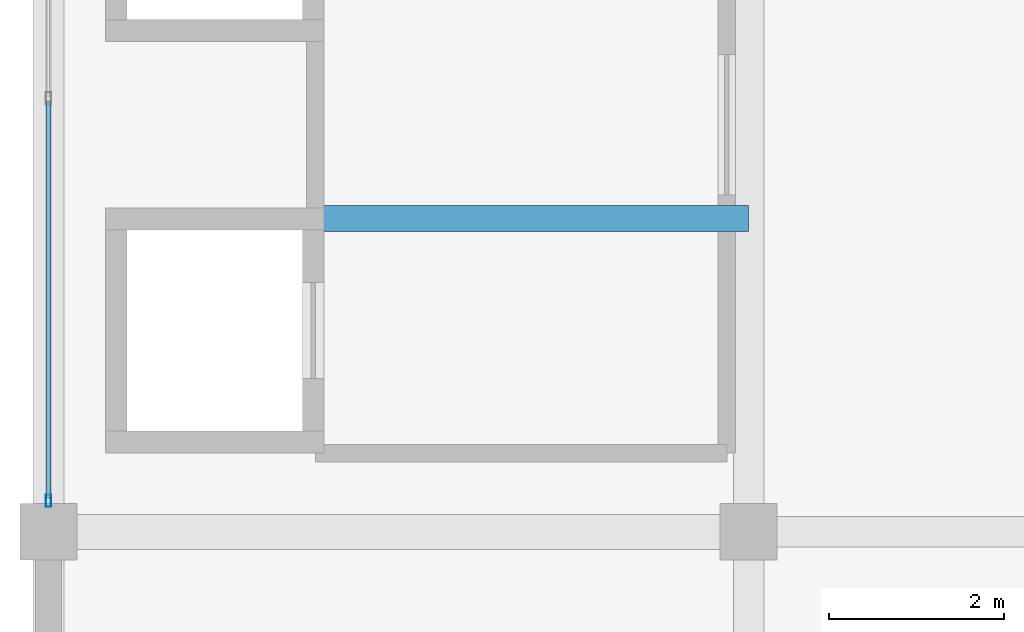
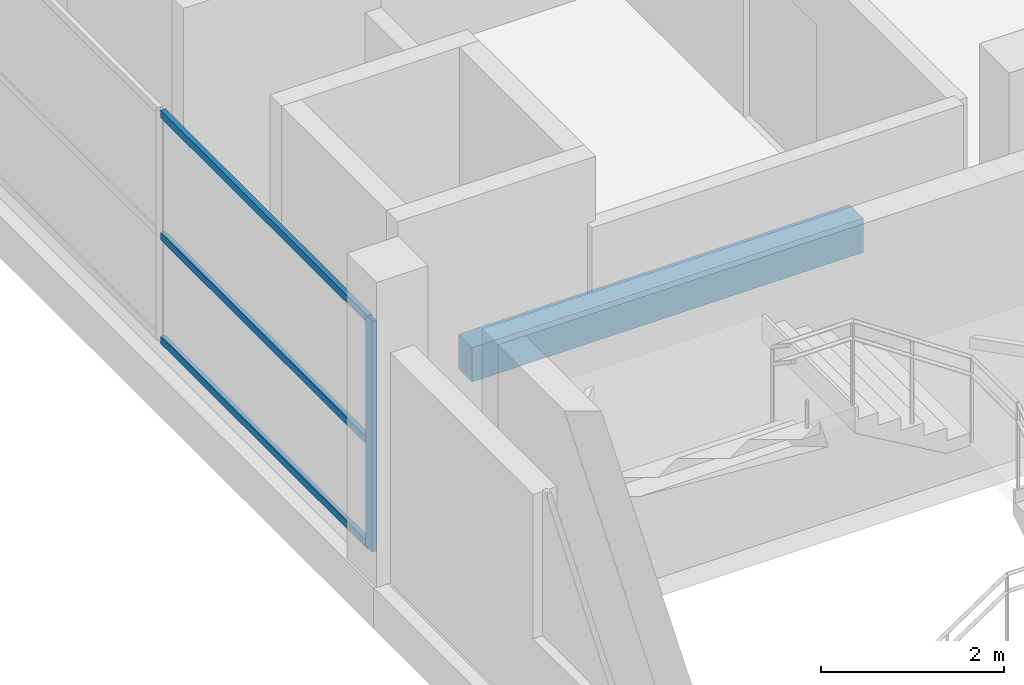
# One storey, part 6 of 53: 4 members, 1 beam, 1 element without a shape of its own.
"""IFC4 building model written with IfcOpenShell, lengths in metres."""

from ifc_helpers import new_model, si_unit, direction, frame, origin, origin_2d, place, context, subcontext, project, spatial, rectangle, hollow_rectangle, extrude, material, layer, layer_set, material_profile, profile_set, type_object, element, aggregate, save


model = new_model("IFC4")

# Units and contexts
model_context = context("Model", 3, precision=1e-05, world=origin(), true_north=direction((0.0, 1.0)))
body_context = subcontext(model_context, "Body", "Model", "MODEL_VIEW")
ifc_project = project(units=[si_unit("LENGTHUNIT", "METRE"), si_unit("AREAUNIT", "SQUARE_METRE"), si_unit("VOLUMEUNIT", "CUBIC_METRE"), si_unit("PLANEANGLEUNIT", "RADIAN"), si_unit("MASSUNIT", "GRAM", prefix="KILO")], contexts=[model_context])

# Site, building, storey
site_placement = place(None, origin())
site = spatial("IfcSite", under=ifc_project, at=site_placement, CompositionType="ELEMENT")
building_placement = place(site_placement, origin())
building = spatial("IfcBuilding", under=site, at=building_placement, Name="Sillaruma Civic Art Gallery", CompositionType="ELEMENT")
storey_placement = place(building_placement, frame((0.0, 0.0, 70.3798828125)))
storey = spatial("IfcBuildingStorey", under=building, at=storey_placement, Name="L14", CompositionType="ELEMENT", Elevation=70.3798828125)

# Beam
ifc_material_1 = material(Name="Concrete H35 (35 MPa)", Category="concrete")
ifc_material_profile_1 = material_profile(ifc_material_1, rectangle(XDim=0.300048828125, YDim=0.4599609375, at=origin_2d()), Name="RCB300x460")
ifc_profile_set_1 = profile_set([ifc_material_profile_1], Name="Concrete H35 (35 MPa)")
beam_type = type_object("IfcBeamType", Name="BM-LINTEL-RCB300x460", PredefinedType="LINTEL", material=ifc_profile_set_1)
beam_placement = place(storey_placement, frame((65.050048828125, 43.179931640625, -0.47998046875), z_axis=(1.0, 0.0, 0.0), x_axis=(0.0, 1.0, 0.0)))
element("IfcBeam", 1, at=beam_placement, inside=storey, type_object=beam_type, Name="Core Portal Coupling Lintel BL-01 (L13:PL1)", PredefinedType="LINTEL", context=body_context, shape_type="SweptSolid", body=[
    extrude(rectangle(XDim=0.300048828125, YDim=0.4599609375, at=origin_2d()), origin(), (0.0, 0.0, 1.0), 4.949951171875),
])

# Curtain wall, members
ifc_material_2 = material(Name="Thermally Broken Extruded Aluminium 6063-T6", Category="aluminium")
ifc_layer = layer(ifc_material_2, 0.139892578125, Name="Thermally Broken Extruded Aluminium 6063-T6")
ifc_layer_set = layer_set([ifc_layer], Name="Thermally Broken Extruded Aluminium 6063-T6")
curtain_wall_type = type_object("IfcCurtainWallType", Name="CW-UNI-93", PredefinedType="NOTDEFINED", material=ifc_layer_set)
curtain_wall_placement = place(storey_placement, origin())
curtain_wall = element("IfcCurtainWall", 2, at=curtain_wall_placement, inside=storey, type_object=curtain_wall_type, Name="Unitised Curtain Wall CW-93 (CW-L14-WBW-3)", PredefinedType="NOTDEFINED")
ifc_material_profile_2 = material_profile(ifc_material_2, hollow_rectangle(XDim=0.06005859375, YDim=0.139892578125, WallThickness=0.00341796875, at=origin_2d()), Name="CWM60x140")
ifc_profile_set_2 = profile_set([ifc_material_profile_2], Name="Thermally Broken Extruded Aluminium 6063-T6")
member_type_1 = type_object("IfcMemberType", Name="MEM-MUL-CWM60x140", PredefinedType="MULLION", material=ifc_profile_set_2)
member_1_placement = place(storey_placement, frame((62.0, 39.955078125, 0.0), z_axis=(0.0, 0.0, 1.0), x_axis=(-1.0, 0.0, 0.0)))
member_1 = element("IfcMember", 3, at=member_1_placement, type_object=member_type_1, Name="CW-93 mullion 1", PredefinedType="MULLION", context=body_context, shape_type="SweptSolid", body=[
    extrude(hollow_rectangle(XDim=0.06005859375, YDim=0.139892578125, WallThickness=0.00341796875, at=origin_2d()), origin(), (0.0, 0.0, 1.0), 3.080078125),
])
ifc_material_profile_3 = material_profile(ifc_material_2, hollow_rectangle(XDim=0.06005859375, YDim=0.10009765625, WallThickness=0.003173828125, at=origin_2d()), Name="CWT60x100")
ifc_profile_set_3 = profile_set([ifc_material_profile_3], Name="Thermally Broken Extruded Aluminium 6063-T6")
member_type_2 = type_object("IfcMemberType", Name="MEM-TRN-CWT60x100", PredefinedType="USERDEFINED", material=ifc_profile_set_3)
member_2_placement = place(storey_placement, frame((62.0, 39.985107421875, 0.030029296875), z_axis=(0.0, 1.0, 0.0), x_axis=(-1.0, 0.0, 0.0)))
member_2 = element("IfcMember", 4, at=member_2_placement, type_object=member_type_2, Name="CW-93 transom 1.1", ObjectType="TRANSOM", PredefinedType="USERDEFINED", context=body_context, shape_type="SweptSolid", body=[
    extrude(hollow_rectangle(XDim=0.06005859375, YDim=0.10009765625, WallThickness=0.003173828125, at=origin_2d()), origin(), (0.0, 0.0, 1.0), 4.534912109375),
])
member_3_placement = place(storey_placement, frame((62.0, 39.985107421875, 1.4169921875), z_axis=(0.0, 1.0, 0.0), x_axis=(-1.0, 0.0, 0.0)))
member_3 = element("IfcMember", 5, at=member_3_placement, type_object=member_type_2, Name="CW-93 transom 1.2", ObjectType="TRANSOM", PredefinedType="USERDEFINED", context=body_context, shape_type="SweptSolid", body=[
    extrude(hollow_rectangle(XDim=0.06005859375, YDim=0.10009765625, WallThickness=0.003173828125, at=origin_2d()), origin(), (0.0, 0.0, 1.0), 4.534912109375),
])
member_4_placement = place(storey_placement, frame((62.0, 39.985107421875, 3.050048828125), z_axis=(0.0, 1.0, 0.0), x_axis=(-1.0, 0.0, 0.0)))
member_4 = element("IfcMember", 6, at=member_4_placement, type_object=member_type_2, Name="CW-93 transom 1.3", ObjectType="TRANSOM", PredefinedType="USERDEFINED", context=body_context, shape_type="SweptSolid", body=[
    extrude(hollow_rectangle(XDim=0.06005859375, YDim=0.10009765625, WallThickness=0.003173828125, at=origin_2d()), origin(), (0.0, 0.0, 1.0), 4.534912109375),
])
aggregate(curtain_wall, [member_1, member_2, member_3, member_4])

save(model, "model.ifc")
